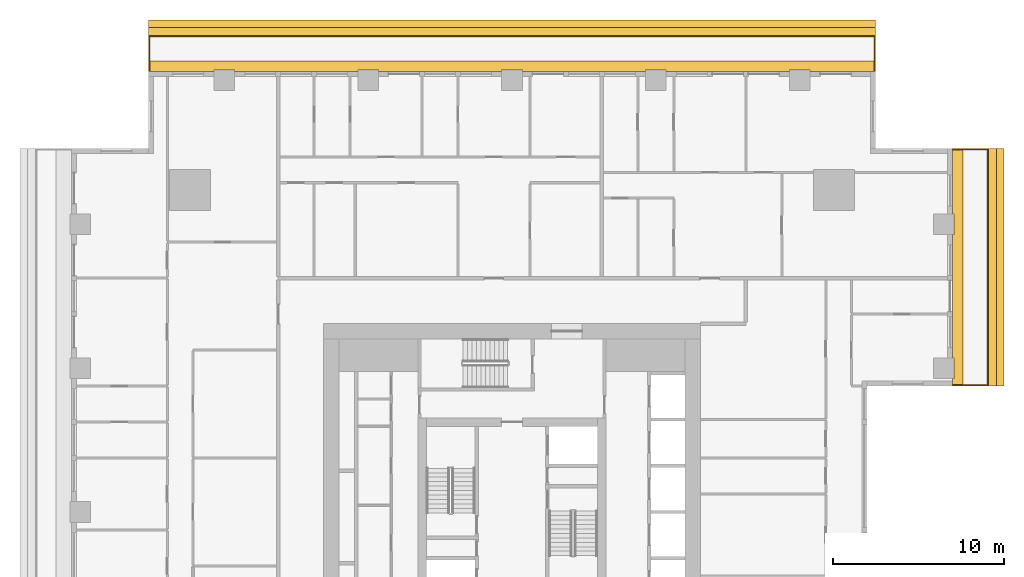
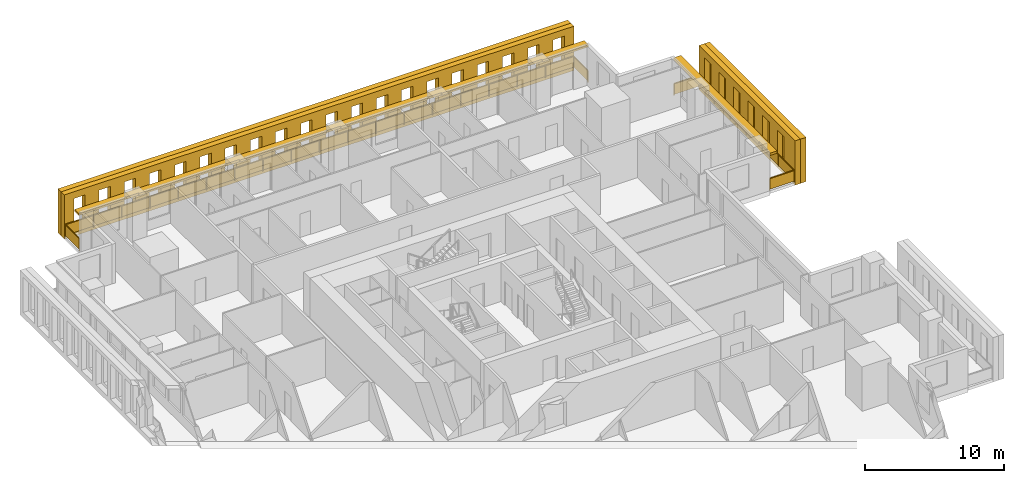
# One storey, part 16 of 16: 6 shading devices, 2 railings.
"""IFC4 building model written with IfcOpenShell, lengths in metres."""

from ifc_helpers import new_model, si_unit, direction, frame, origin, origin_2d, place, context, subcontext, project, spatial, polyline, rectangle, outline, extrude, material, layer, layer_set, type_object, element, save


model = new_model("IFC4")

# Units and contexts
model_context = context("Model", 3, precision=1e-05, world=origin(), true_north=direction((0.0, 1.0)))
body_context = subcontext(model_context, "Body", "Model", "MODEL_VIEW")
ifc_project = project(units=[si_unit("LENGTHUNIT", "METRE"), si_unit("AREAUNIT", "SQUARE_METRE"), si_unit("VOLUMEUNIT", "CUBIC_METRE"), si_unit("PLANEANGLEUNIT", "RADIAN"), si_unit("MASSUNIT", "GRAM", prefix="KILO")], contexts=[model_context])

# Site, building, storey
site_placement = place(None, origin())
site = spatial("IfcSite", under=ifc_project, at=site_placement, CompositionType="ELEMENT")
building_placement = place(site_placement, origin())
building = spatial("IfcBuilding", under=site, at=building_placement, Name="Khepri Terraces", CompositionType="ELEMENT")
storey_placement = place(building_placement, frame((0.0, 0.0, 207.89990234375)))
storey = spatial("IfcBuildingStorey", under=building, at=storey_placement, Name="L49", CompositionType="ELEMENT", Elevation=207.89990234375)

# Railings
ifc_material_1 = material(Name="Stainless steel grade 316", Category="steel")
railing_type = type_object("IfcRailingType", Name="GRD-BAL-1100", PredefinedType="GUARDRAIL", material=ifc_material_1)
railing_1_placement = place(storey_placement, frame((25.719970703125, 7.39990234375, 0.0)))
element("IfcRailing", 1, at=railing_1_placement, inside=storey, type_object=railing_type, Name="Balcony guard L49 E", PredefinedType="GUARDRAIL", context=body_context, shape_type="SweptSolid", body=[
    extrude(rectangle(XDim=0.050048828125, YDim=0.06005859375, at=origin_2d()), frame((0.0, 0.0, 1.070068359375), z_axis=(1.0, 0.0, 0.0), x_axis=(0.0, 1.0, 0.0)), (0.0, 0.0, 1.0), 2.050048828125),
    extrude(rectangle(XDim=2.0, YDim=0.011962890625, at=origin_2d()), frame((1.02490234375, 0.0, 0.10009765625), z_axis=(0.0, 0.0, 1.0), x_axis=(1.0, 0.0, 0.0)), (0.0, 0.0, 1.0), 0.93994140625),
    extrude(rectangle(XDim=0.050048828125, YDim=0.06005859375, at=origin_2d()), frame((2.050048828125, 0.0, 1.070068359375), z_axis=(0.0, 1.0, 0.0), x_axis=(-1.0, 0.0, 0.0)), (0.0, 0.0, 1.0), 13.77001953125),
    extrude(rectangle(XDim=2.244873046875, YDim=0.011962890625, at=origin_2d()), frame((2.050048828125, 1.1474609375, 0.10009765625), z_axis=(0.0, 0.0, 1.0), x_axis=(0.0, 1.0, 0.0)), (0.0, 0.0, 1.0), 0.93994140625),
    extrude(rectangle(XDim=2.244873046875, YDim=0.011962890625, at=origin_2d()), frame((2.050048828125, 3.4423828125, 0.10009765625), z_axis=(0.0, 0.0, 1.0), x_axis=(0.0, 1.0, 0.0)), (0.0, 0.0, 1.0), 0.93994140625),
    extrude(rectangle(XDim=2.244873046875, YDim=0.011962890625, at=origin_2d()), frame((2.050048828125, 5.737548828125, 0.10009765625), z_axis=(0.0, 0.0, 1.0), x_axis=(0.0, 1.0, 0.0)), (0.0, 0.0, 1.0), 0.93994140625),
    extrude(rectangle(XDim=2.244873046875, YDim=0.011962890625, at=origin_2d()), frame((2.050048828125, 8.032470703125, 0.10009765625), z_axis=(0.0, 0.0, 1.0), x_axis=(0.0, 1.0, 0.0)), (0.0, 0.0, 1.0), 0.93994140625),
    extrude(rectangle(XDim=2.244873046875, YDim=0.011962890625, at=origin_2d()), frame((2.050048828125, 10.32763671875, 0.10009765625), z_axis=(0.0, 0.0, 1.0), x_axis=(0.0, 1.0, 0.0)), (0.0, 0.0, 1.0), 0.93994140625),
    extrude(rectangle(XDim=2.244873046875, YDim=0.011962890625, at=origin_2d()), frame((2.050048828125, 12.62255859375, 0.10009765625), z_axis=(0.0, 0.0, 1.0), x_axis=(0.0, 1.0, 0.0)), (0.0, 0.0, 1.0), 0.93994140625),
    extrude(rectangle(XDim=0.050048828125, YDim=0.06005859375, at=origin_2d()), frame((2.050048828125, 13.77001953125, 1.070068359375), z_axis=(-1.0, 0.0, 0.0), x_axis=(0.0, -1.0, 0.0)), (0.0, 0.0, 1.0), 2.050048828125),
    extrude(rectangle(XDim=2.0, YDim=0.011962890625, at=origin_2d()), frame((1.02490234375, 13.77001953125, 0.10009765625), z_axis=(0.0, 0.0, 1.0), x_axis=(-1.0, 0.0, 0.0)), (0.0, 0.0, 1.0), 0.93994140625),
    extrude(rectangle(XDim=0.050048828125, YDim=0.050048828125, at=origin_2d()), origin(), (0.0, 0.0, 1.0), 1.0400390625),
    extrude(rectangle(XDim=0.050048828125, YDim=0.050048828125, at=origin_2d()), frame((2.050048828125, 0.0, 0.0)), (0.0, 0.0, 1.0), 1.0400390625),
    extrude(rectangle(XDim=0.050048828125, YDim=0.050048828125, at=origin_2d()), frame((2.050048828125, 2.294921875, 0.0)), (0.0, 0.0, 1.0), 1.0400390625),
    extrude(rectangle(XDim=0.050048828125, YDim=0.050048828125, at=origin_2d()), frame((2.050048828125, 4.590087890625, 0.0)), (0.0, 0.0, 1.0), 1.0400390625),
    extrude(rectangle(XDim=0.050048828125, YDim=0.050048828125, at=origin_2d()), frame((2.050048828125, 6.885009765625, 0.0)), (0.0, 0.0, 1.0), 1.0400390625),
    extrude(rectangle(XDim=0.050048828125, YDim=0.050048828125, at=origin_2d()), frame((2.050048828125, 9.179931640625, 0.0)), (0.0, 0.0, 1.0), 1.0400390625),
    extrude(rectangle(XDim=0.050048828125, YDim=0.050048828125, at=origin_2d()), frame((2.050048828125, 11.47509765625, 0.0)), (0.0, 0.0, 1.0), 1.0400390625),
    extrude(rectangle(XDim=0.050048828125, YDim=0.050048828125, at=origin_2d()), frame((2.050048828125, 13.77001953125, 0.0)), (0.0, 0.0, 1.0), 1.0400390625),
    extrude(rectangle(XDim=0.050048828125, YDim=0.050048828125, at=origin_2d()), frame((0.0, 13.77001953125, 0.0)), (0.0, 0.0, 1.0), 1.0400390625),
])
railing_2_placement = place(storey_placement, frame((21.169921875, 25.719970703125, 0.0)))
element("IfcRailing", 2, at=railing_2_placement, inside=storey, type_object=railing_type, Name="Balcony guard L49 N", PredefinedType="GUARDRAIL", context=body_context, shape_type="SweptSolid", body=[
    extrude(rectangle(XDim=0.050048828125, YDim=0.06005859375, at=origin_2d()), frame((0.0, 0.0, 1.070068359375), z_axis=(0.0, 1.0, 0.0), x_axis=(-1.0, 0.0, 0.0)), (0.0, 0.0, 1.0), 2.050048828125),
    extrude(rectangle(XDim=2.0, YDim=0.011962890625, at=origin_2d()), frame((0.0, 1.02490234375, 0.10009765625), z_axis=(0.0, 0.0, 1.0), x_axis=(0.0, 1.0, 0.0)), (0.0, 0.0, 1.0), 0.93994140625),
    extrude(rectangle(XDim=0.050048828125, YDim=0.06005859375, at=origin_2d()), frame((0.0, 2.050048828125, 1.070068359375), z_axis=(-1.0, 0.0, 0.0), x_axis=(0.0, -1.0, 0.0)), (0.0, 0.0, 1.0), 42.33984375),
    extrude(rectangle(XDim=2.30224609375, YDim=0.011962890625, at=origin_2d()), frame((-1.176025390625, 2.050048828125, 0.10009765625), z_axis=(0.0, 0.0, 1.0), x_axis=(-1.0, 0.0, 0.0)), (0.0, 0.0, 1.0), 0.93994140625),
    extrude(rectangle(XDim=2.30224609375, YDim=0.011962890625, at=origin_2d()), frame((-3.5283203125, 2.050048828125, 0.10009765625), z_axis=(0.0, 0.0, 1.0), x_axis=(-1.0, 0.0, 0.0)), (0.0, 0.0, 1.0), 0.93994140625),
    extrude(rectangle(XDim=2.30224609375, YDim=0.011962890625, at=origin_2d()), frame((-5.880615234375, 2.050048828125, 0.10009765625), z_axis=(0.0, 0.0, 1.0), x_axis=(-1.0, 0.0, 0.0)), (0.0, 0.0, 1.0), 0.93994140625),
    extrude(rectangle(XDim=2.30224609375, YDim=0.011962890625, at=origin_2d()), frame((-8.232666015625, 2.050048828125, 0.10009765625), z_axis=(0.0, 0.0, 1.0), x_axis=(-1.0, 0.0, 0.0)), (0.0, 0.0, 1.0), 0.93994140625),
    extrude(rectangle(XDim=2.30224609375, YDim=0.011962890625, at=origin_2d()), frame((-10.5849609375, 2.050048828125, 0.10009765625), z_axis=(0.0, 0.0, 1.0), x_axis=(-1.0, 0.0, 0.0)), (0.0, 0.0, 1.0), 0.93994140625),
    extrude(rectangle(XDim=2.30224609375, YDim=0.011962890625, at=origin_2d()), frame((-12.937255859375, 2.050048828125, 0.10009765625), z_axis=(0.0, 0.0, 1.0), x_axis=(-1.0, 0.0, 0.0)), (0.0, 0.0, 1.0), 0.93994140625),
    extrude(rectangle(XDim=2.30224609375, YDim=0.011962890625, at=origin_2d()), frame((-15.289306640625, 2.050048828125, 0.10009765625), z_axis=(0.0, 0.0, 1.0), x_axis=(-1.0, 0.0, 0.0)), (0.0, 0.0, 1.0), 0.93994140625),
    extrude(rectangle(XDim=2.30224609375, YDim=0.011962890625, at=origin_2d()), frame((-17.6416015625, 2.050048828125, 0.10009765625), z_axis=(0.0, 0.0, 1.0), x_axis=(-1.0, 0.0, 0.0)), (0.0, 0.0, 1.0), 0.93994140625),
    extrude(rectangle(XDim=2.30224609375, YDim=0.011962890625, at=origin_2d()), frame((-19.993896484375, 2.050048828125, 0.10009765625), z_axis=(0.0, 0.0, 1.0), x_axis=(-1.0, 0.0, 0.0)), (0.0, 0.0, 1.0), 0.93994140625),
    extrude(rectangle(XDim=2.30224609375, YDim=0.011962890625, at=origin_2d()), frame((-22.345947265625, 2.050048828125, 0.10009765625), z_axis=(0.0, 0.0, 1.0), x_axis=(-1.0, 0.0, 0.0)), (0.0, 0.0, 1.0), 0.93994140625),
    extrude(rectangle(XDim=2.30224609375, YDim=0.011962890625, at=origin_2d()), frame((-24.6982421875, 2.050048828125, 0.10009765625), z_axis=(0.0, 0.0, 1.0), x_axis=(-1.0, 0.0, 0.0)), (0.0, 0.0, 1.0), 0.93994140625),
    extrude(rectangle(XDim=2.30224609375, YDim=0.011962890625, at=origin_2d()), frame((-27.050537109375, 2.050048828125, 0.10009765625), z_axis=(0.0, 0.0, 1.0), x_axis=(-1.0, 0.0, 0.0)), (0.0, 0.0, 1.0), 0.93994140625),
    extrude(rectangle(XDim=2.30224609375, YDim=0.011962890625, at=origin_2d()), frame((-29.402587890625, 2.050048828125, 0.10009765625), z_axis=(0.0, 0.0, 1.0), x_axis=(-1.0, 0.0, 0.0)), (0.0, 0.0, 1.0), 0.93994140625),
    extrude(rectangle(XDim=2.30224609375, YDim=0.011962890625, at=origin_2d()), frame((-31.7548828125, 2.050048828125, 0.10009765625), z_axis=(0.0, 0.0, 1.0), x_axis=(-1.0, 0.0, 0.0)), (0.0, 0.0, 1.0), 0.93994140625),
    extrude(rectangle(XDim=2.30224609375, YDim=0.011962890625, at=origin_2d()), frame((-34.107177734375, 2.050048828125, 0.10009765625), z_axis=(0.0, 0.0, 1.0), x_axis=(-1.0, 0.0, 0.0)), (0.0, 0.0, 1.0), 0.93994140625),
    extrude(rectangle(XDim=2.30224609375, YDim=0.011962890625, at=origin_2d()), frame((-36.459228515625, 2.050048828125, 0.10009765625), z_axis=(0.0, 0.0, 1.0), x_axis=(-1.0, 0.0, 0.0)), (0.0, 0.0, 1.0), 0.93994140625),
    extrude(rectangle(XDim=2.30224609375, YDim=0.011962890625, at=origin_2d()), frame((-38.8115234375, 2.050048828125, 0.10009765625), z_axis=(0.0, 0.0, 1.0), x_axis=(-1.0, 0.0, 0.0)), (0.0, 0.0, 1.0), 0.93994140625),
    extrude(rectangle(XDim=2.30224609375, YDim=0.011962890625, at=origin_2d()), frame((-41.163818359375, 2.050048828125, 0.10009765625), z_axis=(0.0, 0.0, 1.0), x_axis=(-1.0, 0.0, 0.0)), (0.0, 0.0, 1.0), 0.93994140625),
    extrude(rectangle(XDim=0.050048828125, YDim=0.06005859375, at=origin_2d()), frame((-42.33984375, 2.050048828125, 1.070068359375), z_axis=(0.0, -1.0, 0.0), x_axis=(1.0, 0.0, 0.0)), (0.0, 0.0, 1.0), 2.050048828125),
    extrude(rectangle(XDim=2.0, YDim=0.011962890625, at=origin_2d()), frame((-42.33984375, 1.02490234375, 0.10009765625), z_axis=(0.0, 0.0, 1.0), x_axis=(0.0, -1.0, 0.0)), (0.0, 0.0, 1.0), 0.93994140625),
    extrude(rectangle(XDim=0.050048828125, YDim=0.050048828125, at=origin_2d()), origin(), (0.0, 0.0, 1.0), 1.0400390625),
    extrude(rectangle(XDim=0.050048828125, YDim=0.050048828125, at=origin_2d()), frame((0.0, 2.050048828125, 0.0)), (0.0, 0.0, 1.0), 1.0400390625),
    extrude(rectangle(XDim=0.050048828125, YDim=0.050048828125, at=origin_2d()), frame((-2.352294921875, 2.050048828125, 0.0)), (0.0, 0.0, 1.0), 1.0400390625),
    extrude(rectangle(XDim=0.050048828125, YDim=0.050048828125, at=origin_2d()), frame((-4.704345703125, 2.050048828125, 0.0)), (0.0, 0.0, 1.0), 1.0400390625),
    extrude(rectangle(XDim=0.050048828125, YDim=0.050048828125, at=origin_2d()), frame((-7.056640625, 2.050048828125, 0.0)), (0.0, 0.0, 1.0), 1.0400390625),
    extrude(rectangle(XDim=0.050048828125, YDim=0.050048828125, at=origin_2d()), frame((-9.408935546875, 2.050048828125, 0.0)), (0.0, 0.0, 1.0), 1.0400390625),
    extrude(rectangle(XDim=0.050048828125, YDim=0.050048828125, at=origin_2d()), frame((-11.760986328125, 2.050048828125, 0.0)), (0.0, 0.0, 1.0), 1.0400390625),
    extrude(rectangle(XDim=0.050048828125, YDim=0.050048828125, at=origin_2d()), frame((-14.11328125, 2.050048828125, 0.0)), (0.0, 0.0, 1.0), 1.0400390625),
    extrude(rectangle(XDim=0.050048828125, YDim=0.050048828125, at=origin_2d()), frame((-16.465576171875, 2.050048828125, 0.0)), (0.0, 0.0, 1.0), 1.0400390625),
    extrude(rectangle(XDim=0.050048828125, YDim=0.050048828125, at=origin_2d()), frame((-18.817626953125, 2.050048828125, 0.0)), (0.0, 0.0, 1.0), 1.0400390625),
    extrude(rectangle(XDim=0.050048828125, YDim=0.050048828125, at=origin_2d()), frame((-21.169921875, 2.050048828125, 0.0)), (0.0, 0.0, 1.0), 1.0400390625),
    extrude(rectangle(XDim=0.050048828125, YDim=0.050048828125, at=origin_2d()), frame((-23.522216796875, 2.050048828125, 0.0)), (0.0, 0.0, 1.0), 1.0400390625),
    extrude(rectangle(XDim=0.050048828125, YDim=0.050048828125, at=origin_2d()), frame((-25.874267578125, 2.050048828125, 0.0)), (0.0, 0.0, 1.0), 1.0400390625),
    extrude(rectangle(XDim=0.050048828125, YDim=0.050048828125, at=origin_2d()), frame((-28.2265625, 2.050048828125, 0.0)), (0.0, 0.0, 1.0), 1.0400390625),
    extrude(rectangle(XDim=0.050048828125, YDim=0.050048828125, at=origin_2d()), frame((-30.578857421875, 2.050048828125, 0.0)), (0.0, 0.0, 1.0), 1.0400390625),
    extrude(rectangle(XDim=0.050048828125, YDim=0.050048828125, at=origin_2d()), frame((-32.930908203125, 2.050048828125, 0.0)), (0.0, 0.0, 1.0), 1.0400390625),
    extrude(rectangle(XDim=0.050048828125, YDim=0.050048828125, at=origin_2d()), frame((-35.283203125, 2.050048828125, 0.0)), (0.0, 0.0, 1.0), 1.0400390625),
    extrude(rectangle(XDim=0.050048828125, YDim=0.050048828125, at=origin_2d()), frame((-37.635498046875, 2.050048828125, 0.0)), (0.0, 0.0, 1.0), 1.0400390625),
    extrude(rectangle(XDim=0.050048828125, YDim=0.050048828125, at=origin_2d()), frame((-39.987548828125, 2.050048828125, 0.0)), (0.0, 0.0, 1.0), 1.0400390625),
    extrude(rectangle(XDim=0.050048828125, YDim=0.050048828125, at=origin_2d()), frame((-42.33984375, 2.050048828125, 0.0)), (0.0, 0.0, 1.0), 1.0400390625),
    extrude(rectangle(XDim=0.050048828125, YDim=0.050048828125, at=origin_2d()), frame((-42.33984375, 0.0, 0.0)), (0.0, 0.0, 1.0), 1.0400390625),
])

# Shading devices
ifc_material_2 = material(Name="Precast concrete C50/60 warm stone", Category="masonry")
shading_device_type_1 = type_object("IfcShadingDeviceType", Name="SCR-CELL-INNER-450", PredefinedType="USERDEFINED", material=ifc_material_2)
shading_device_1_placement = place(storey_placement, frame((27.820068359375, 7.35009765625, -0.25), z_axis=(1.0, 0.0, 0.0), x_axis=(0.0, 1.0, 0.0)))
element("IfcShadingDevice", 3, at=shading_device_1_placement, inside=storey, type_object=shading_device_type_1, Name="Cell screen L49 E in", ObjectType="SCREEN", PredefinedType="USERDEFINED", context=body_context, shape_type="SweptSolid", body=[
    extrude(outline(polyline([(0.0, 0.0), (13.8701171875, 0.0), (13.8701171875, 3.89990234375), (0.0, 3.89990234375), (0.0, 0.0)]), holes=[polyline([(1.62744140625, 0.699951171875), (2.572509765625, 0.699951171875), (2.572509765625, 3.300048828125), (1.62744140625, 3.300048828125), (1.62744140625, 0.699951171875)]), polyline([(3.7275390625, 0.699951171875), (4.672607421875, 0.699951171875), (4.672607421875, 3.300048828125), (3.7275390625, 3.300048828125), (3.7275390625, 0.699951171875)]), polyline([(5.827392578125, 0.699951171875), (6.7724609375, 0.699951171875), (6.7724609375, 3.300048828125), (5.827392578125, 3.300048828125), (5.827392578125, 0.699951171875)]), polyline([(7.927490234375, 0.699951171875), (8.87255859375, 0.699951171875), (8.87255859375, 3.300048828125), (7.927490234375, 3.300048828125), (7.927490234375, 0.699951171875)]), polyline([(10.027587890625, 0.699951171875), (10.972412109375, 0.699951171875), (10.972412109375, 3.300048828125), (10.027587890625, 3.300048828125), (10.027587890625, 0.699951171875)]), polyline([(12.12744140625, 0.699951171875), (13.072509765625, 0.699951171875), (13.072509765625, 3.300048828125), (12.12744140625, 3.300048828125), (12.12744140625, 0.699951171875)])]), origin(), (0.0, 0.0, 1.0), 0.449951171875),
])
shading_device_2_placement = place(storey_placement, frame((21.219970703125, 27.820068359375, -0.25), z_axis=(0.0, 1.0, 0.0), x_axis=(-1.0, 0.0, 0.0)))
element("IfcShadingDevice", 4, at=shading_device_2_placement, inside=storey, type_object=shading_device_type_1, Name="Cell screen L49 N in", ObjectType="SCREEN", PredefinedType="USERDEFINED", context=body_context, shape_type="SweptSolid", body=[
    extrude(outline(polyline([(0.0, 0.0), (42.43994140625, 0.0), (42.43994140625, 3.89990234375), (0.0, 3.89990234375), (0.0, 0.0)]), holes=[polyline([(0.797607421875, 0.699951171875), (1.742431640625, 0.699951171875), (1.742431640625, 3.300048828125), (0.797607421875, 3.300048828125), (0.797607421875, 0.699951171875)]), polyline([(2.8974609375, 0.699951171875), (3.842529296875, 0.699951171875), (3.842529296875, 3.300048828125), (2.8974609375, 3.300048828125), (2.8974609375, 0.699951171875)]), polyline([(4.99755859375, 0.699951171875), (5.9423828125, 0.699951171875), (5.9423828125, 3.300048828125), (4.99755859375, 3.300048828125), (4.99755859375, 0.699951171875)]), polyline([(7.097412109375, 0.699951171875), (8.04248046875, 0.699951171875), (8.04248046875, 3.300048828125), (7.097412109375, 3.300048828125), (7.097412109375, 0.699951171875)]), polyline([(9.197509765625, 0.699951171875), (10.142578125, 0.699951171875), (10.142578125, 3.300048828125), (9.197509765625, 3.300048828125), (9.197509765625, 0.699951171875)]), polyline([(11.297607421875, 0.699951171875), (12.242431640625, 0.699951171875), (12.242431640625, 3.300048828125), (11.297607421875, 3.300048828125), (11.297607421875, 0.699951171875)]), polyline([(13.3974609375, 0.699951171875), (14.342529296875, 0.699951171875), (14.342529296875, 3.300048828125), (13.3974609375, 3.300048828125), (13.3974609375, 0.699951171875)]), polyline([(15.49755859375, 0.699951171875), (16.4423828125, 0.699951171875), (16.4423828125, 3.300048828125), (15.49755859375, 3.300048828125), (15.49755859375, 0.699951171875)]), polyline([(17.597412109375, 0.699951171875), (18.54248046875, 0.699951171875), (18.54248046875, 3.300048828125), (17.597412109375, 3.300048828125), (17.597412109375, 0.699951171875)]), polyline([(19.697509765625, 0.699951171875), (20.642578125, 0.699951171875), (20.642578125, 3.300048828125), (19.697509765625, 3.300048828125), (19.697509765625, 0.699951171875)]), polyline([(21.797607421875, 0.699951171875), (22.742431640625, 0.699951171875), (22.742431640625, 3.300048828125), (21.797607421875, 3.300048828125), (21.797607421875, 0.699951171875)]), polyline([(23.8974609375, 0.699951171875), (24.842529296875, 0.699951171875), (24.842529296875, 3.300048828125), (23.8974609375, 3.300048828125), (23.8974609375, 0.699951171875)]), polyline([(25.99755859375, 0.699951171875), (26.9423828125, 0.699951171875), (26.9423828125, 3.300048828125), (25.99755859375, 3.300048828125), (25.99755859375, 0.699951171875)]), polyline([(28.097412109375, 0.699951171875), (29.04248046875, 0.699951171875), (29.04248046875, 3.300048828125), (28.097412109375, 3.300048828125), (28.097412109375, 0.699951171875)]), polyline([(30.197509765625, 0.699951171875), (31.142578125, 0.699951171875), (31.142578125, 3.300048828125), (30.197509765625, 3.300048828125), (30.197509765625, 0.699951171875)]), polyline([(32.297607421875, 0.699951171875), (33.242431640625, 0.699951171875), (33.242431640625, 3.300048828125), (32.297607421875, 3.300048828125), (32.297607421875, 0.699951171875)]), polyline([(34.3974609375, 0.699951171875), (35.342529296875, 0.699951171875), (35.342529296875, 3.300048828125), (34.3974609375, 3.300048828125), (34.3974609375, 0.699951171875)]), polyline([(36.49755859375, 0.699951171875), (37.4423828125, 0.699951171875), (37.4423828125, 3.300048828125), (36.49755859375, 3.300048828125), (36.49755859375, 0.699951171875)]), polyline([(38.597412109375, 0.699951171875), (39.54248046875, 0.699951171875), (39.54248046875, 3.300048828125), (38.597412109375, 3.300048828125), (38.597412109375, 0.699951171875)]), polyline([(40.697509765625, 0.699951171875), (41.642578125, 0.699951171875), (41.642578125, 3.300048828125), (40.697509765625, 3.300048828125), (40.697509765625, 0.699951171875)])]), origin(), (0.0, 0.0, 1.0), 0.449951171875),
])
shading_device_type_2 = type_object("IfcShadingDeviceType", Name="SCR-CELL-OUTER-450", PredefinedType="USERDEFINED", material=ifc_material_2)
shading_device_3_placement = place(storey_placement, frame((28.27001953125, 7.35009765625, -0.25), z_axis=(1.0, 0.0, 0.0), x_axis=(0.0, 1.0, 0.0)))
element("IfcShadingDevice", 5, at=shading_device_3_placement, inside=storey, type_object=shading_device_type_2, Name="Cell screen L49 E out", ObjectType="SCREEN", PredefinedType="USERDEFINED", context=body_context, shape_type="SweptSolid", body=[
    extrude(outline(polyline([(0.0, 0.0), (13.8701171875, 0.0), (13.8701171875, 3.89990234375), (0.0, 3.89990234375), (0.0, 0.0)]), holes=[polyline([(1.277587890625, 0.449951171875), (2.922607421875, 0.449951171875), (2.922607421875, 3.550048828125), (1.277587890625, 3.550048828125), (1.277587890625, 0.449951171875)]), polyline([(3.37744140625, 0.449951171875), (5.0224609375, 0.449951171875), (5.0224609375, 3.550048828125), (3.37744140625, 3.550048828125), (3.37744140625, 0.449951171875)]), polyline([(5.4775390625, 0.449951171875), (7.12255859375, 0.449951171875), (7.12255859375, 3.550048828125), (5.4775390625, 3.550048828125), (5.4775390625, 0.449951171875)]), polyline([(7.577392578125, 0.449951171875), (9.222412109375, 0.449951171875), (9.222412109375, 3.550048828125), (7.577392578125, 3.550048828125), (7.577392578125, 0.449951171875)]), polyline([(9.677490234375, 0.449951171875), (11.322509765625, 0.449951171875), (11.322509765625, 3.550048828125), (9.677490234375, 3.550048828125), (9.677490234375, 0.449951171875)]), polyline([(11.777587890625, 0.449951171875), (13.422607421875, 0.449951171875), (13.422607421875, 3.550048828125), (11.777587890625, 3.550048828125), (11.777587890625, 0.449951171875)])]), origin(), (0.0, 0.0, 1.0), 0.449951171875),
])
shading_device_4_placement = place(storey_placement, frame((21.219970703125, 28.27001953125, -0.25), z_axis=(0.0, 1.0, 0.0), x_axis=(-1.0, 0.0, 0.0)))
element("IfcShadingDevice", 6, at=shading_device_4_placement, inside=storey, type_object=shading_device_type_2, Name="Cell screen L49 N out", ObjectType="SCREEN", PredefinedType="USERDEFINED", context=body_context, shape_type="SweptSolid", body=[
    extrude(outline(polyline([(0.0, 0.0), (42.43994140625, 0.0), (42.43994140625, 3.89990234375), (0.0, 3.89990234375), (0.0, 0.0)]), holes=[polyline([(0.447509765625, 0.449951171875), (2.092529296875, 0.449951171875), (2.092529296875, 3.550048828125), (0.447509765625, 3.550048828125), (0.447509765625, 0.449951171875)]), polyline([(2.547607421875, 0.449951171875), (4.1923828125, 0.449951171875), (4.1923828125, 3.550048828125), (2.547607421875, 3.550048828125), (2.547607421875, 0.449951171875)]), polyline([(4.6474609375, 0.449951171875), (6.29248046875, 0.449951171875), (6.29248046875, 3.550048828125), (4.6474609375, 3.550048828125), (4.6474609375, 0.449951171875)]), polyline([(6.74755859375, 0.449951171875), (8.392578125, 0.449951171875), (8.392578125, 3.550048828125), (6.74755859375, 3.550048828125), (6.74755859375, 0.449951171875)]), polyline([(8.847412109375, 0.449951171875), (10.492431640625, 0.449951171875), (10.492431640625, 3.550048828125), (8.847412109375, 3.550048828125), (8.847412109375, 0.449951171875)]), polyline([(10.947509765625, 0.449951171875), (12.592529296875, 0.449951171875), (12.592529296875, 3.550048828125), (10.947509765625, 3.550048828125), (10.947509765625, 0.449951171875)]), polyline([(13.047607421875, 0.449951171875), (14.6923828125, 0.449951171875), (14.6923828125, 3.550048828125), (13.047607421875, 3.550048828125), (13.047607421875, 0.449951171875)]), polyline([(15.1474609375, 0.449951171875), (16.79248046875, 0.449951171875), (16.79248046875, 3.550048828125), (15.1474609375, 3.550048828125), (15.1474609375, 0.449951171875)]), polyline([(17.24755859375, 0.449951171875), (18.892578125, 0.449951171875), (18.892578125, 3.550048828125), (17.24755859375, 3.550048828125), (17.24755859375, 0.449951171875)]), polyline([(19.347412109375, 0.449951171875), (20.992431640625, 0.449951171875), (20.992431640625, 3.550048828125), (19.347412109375, 3.550048828125), (19.347412109375, 0.449951171875)]), polyline([(21.447509765625, 0.449951171875), (23.092529296875, 0.449951171875), (23.092529296875, 3.550048828125), (21.447509765625, 3.550048828125), (21.447509765625, 0.449951171875)]), polyline([(23.547607421875, 0.449951171875), (25.1923828125, 0.449951171875), (25.1923828125, 3.550048828125), (23.547607421875, 3.550048828125), (23.547607421875, 0.449951171875)]), polyline([(25.6474609375, 0.449951171875), (27.29248046875, 0.449951171875), (27.29248046875, 3.550048828125), (25.6474609375, 3.550048828125), (25.6474609375, 0.449951171875)]), polyline([(27.74755859375, 0.449951171875), (29.392578125, 0.449951171875), (29.392578125, 3.550048828125), (27.74755859375, 3.550048828125), (27.74755859375, 0.449951171875)]), polyline([(29.847412109375, 0.449951171875), (31.492431640625, 0.449951171875), (31.492431640625, 3.550048828125), (29.847412109375, 3.550048828125), (29.847412109375, 0.449951171875)]), polyline([(31.947509765625, 0.449951171875), (33.592529296875, 0.449951171875), (33.592529296875, 3.550048828125), (31.947509765625, 3.550048828125), (31.947509765625, 0.449951171875)]), polyline([(34.047607421875, 0.449951171875), (35.6923828125, 0.449951171875), (35.6923828125, 3.550048828125), (34.047607421875, 3.550048828125), (34.047607421875, 0.449951171875)]), polyline([(36.1474609375, 0.449951171875), (37.79248046875, 0.449951171875), (37.79248046875, 3.550048828125), (36.1474609375, 3.550048828125), (36.1474609375, 0.449951171875)]), polyline([(38.24755859375, 0.449951171875), (39.892578125, 0.449951171875), (39.892578125, 3.550048828125), (38.24755859375, 3.550048828125), (38.24755859375, 0.449951171875)]), polyline([(40.347412109375, 0.449951171875), (41.992431640625, 0.449951171875), (41.992431640625, 3.550048828125), (40.347412109375, 3.550048828125), (40.347412109375, 0.449951171875)])]), origin(), (0.0, 0.0, 1.0), 0.449951171875),
])
ifc_layer = layer(ifc_material_2, 0.199951171875, Name="Precast concrete C50/60 warm stone", Category="masonry")
ifc_layer_set = layer_set([ifc_layer], Name="Precast concrete C50/60 warm stone")
shading_device_type_3 = type_object("IfcShadingDeviceType", Name="SSH-BAND-STONE-200-N", PredefinedType="USERDEFINED", material=ifc_layer_set)
shading_device_5_placement = place(storey_placement, frame((0.0, 0.0, 3.10009765625)))
element("IfcShadingDevice", 7, at=shading_device_5_placement, inside=storey, type_object=shading_device_type_3, Name="Sunshade band L49 E", ObjectType="SUNSHADE", PredefinedType="USERDEFINED", context=body_context, shape_type="SweptSolid", body=[
    extrude(outline(polyline([(25.719970703125, 7.800048828125), (25.719970703125, 7.35009765625), (26.320068359375, 7.35009765625), (26.320068359375, 21.219970703125), (25.719970703125, 21.219970703125), (25.719970703125, 17.39990234375), (25.800048828125, 17.39990234375), (25.800048828125, 16.199951171875), (25.719970703125, 16.199951171875), (25.719970703125, 9.0), (25.800048828125, 9.0), (25.800048828125, 7.800048828125), (25.719970703125, 7.800048828125)])), origin(), (0.0, 0.0, 1.0), 0.199951171875),
])
shading_device_6_placement = place(storey_placement, frame((0.0, 0.0, 3.10009765625)))
element("IfcShadingDevice", 8, at=shading_device_6_placement, inside=storey, type_object=shading_device_type_3, Name="Sunshade band L49 N", ObjectType="SUNSHADE", PredefinedType="USERDEFINED", context=body_context, shape_type="SweptSolid", body=[
    extrude(outline(polyline([(17.39990234375, 25.719970703125), (21.219970703125, 25.719970703125), (21.219970703125, 26.320068359375), (-21.219970703125, 26.320068359375), (-21.219970703125, 25.719970703125), (-17.39990234375, 25.719970703125), (-17.39990234375, 25.800048828125), (-16.199951171875, 25.800048828125), (-16.199951171875, 25.719970703125), (-9.0, 25.719970703125), (-9.0, 25.800048828125), (-7.800048828125, 25.800048828125), (-7.800048828125, 25.719970703125), (-0.60009765625, 25.719970703125), (-0.60009765625, 25.800048828125), (0.60009765625, 25.800048828125), (0.60009765625, 25.719970703125), (7.800048828125, 25.719970703125), (7.800048828125, 25.800048828125), (9.0, 25.800048828125), (9.0, 25.719970703125), (16.199951171875, 25.719970703125), (16.199951171875, 25.800048828125), (17.39990234375, 25.800048828125), (17.39990234375, 25.719970703125)])), origin(), (0.0, 0.0, 1.0), 0.199951171875),
])

save(model, "model.ifc")
